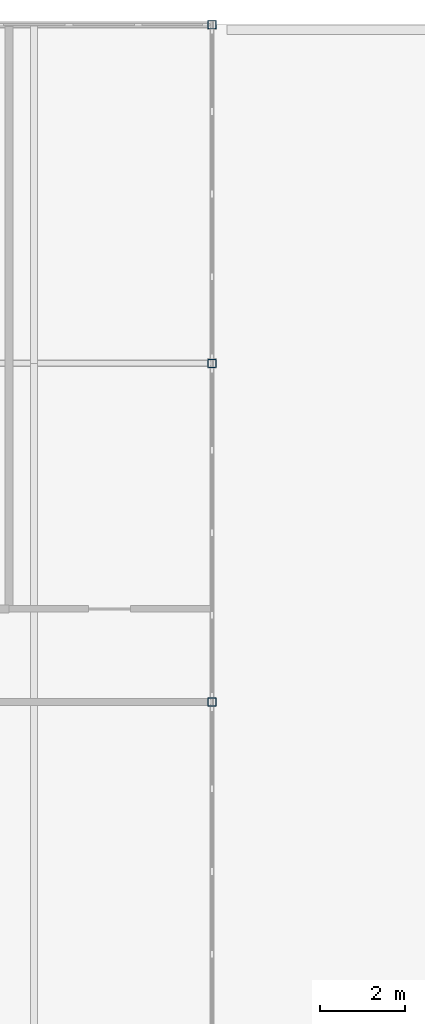
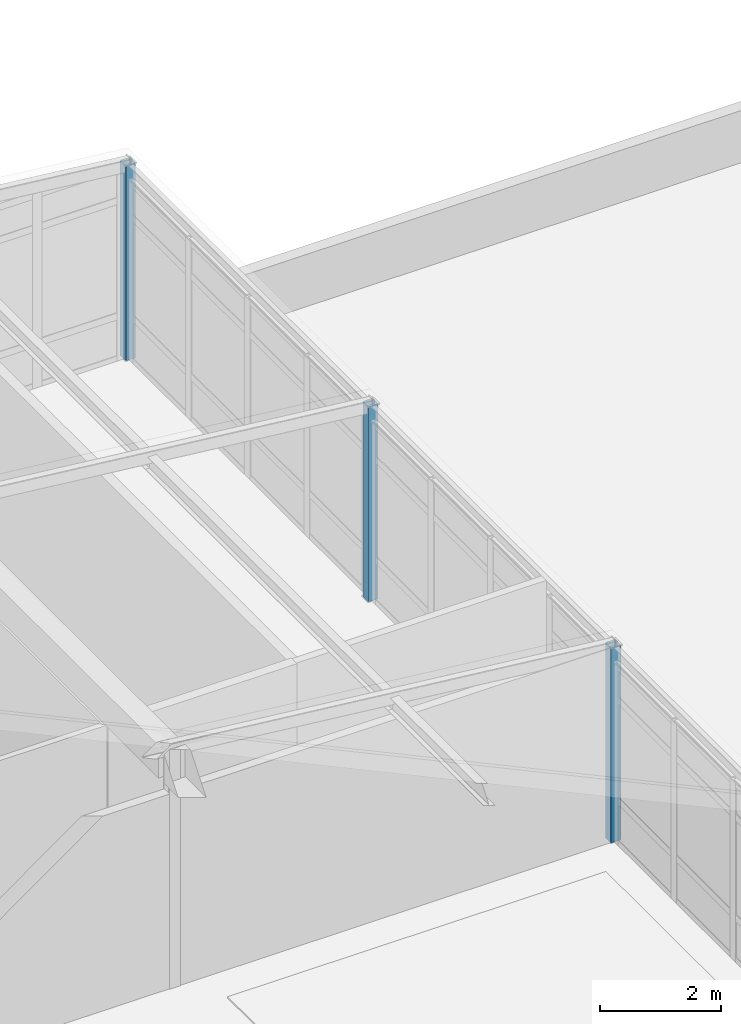
# One storey, part 8 of 25: 3 columns.
"""IFC4 building model written with IfcOpenShell, lengths in metres."""

from ifc_helpers import new_model, si_unit, direction, frame, origin, origin_2d, place, context, subcontext, project, spatial, hollow_rectangle, extrude, material, material_profile, profile_set, type_object, element, save


model = new_model("IFC4")

# Units and contexts
model_context = context("Model", 3, precision=1e-05, world=origin(), true_north=direction((0.0, 1.0)))
body_context = subcontext(model_context, "Body", "Model", "MODEL_VIEW")
ifc_project = project(units=[si_unit("LENGTHUNIT", "METRE"), si_unit("AREAUNIT", "SQUARE_METRE"), si_unit("VOLUMEUNIT", "CUBIC_METRE"), si_unit("PLANEANGLEUNIT", "RADIAN"), si_unit("MASSUNIT", "GRAM", prefix="KILO")], contexts=[model_context])

# Site, building, storey
site_placement = place(None, origin())
site = spatial("IfcSite", under=ifc_project, at=site_placement, CompositionType="ELEMENT")
building_placement = place(site_placement, origin())
building = spatial("IfcBuilding", under=site, at=building_placement, Name="Kranzveld Transit Interchange", CompositionType="ELEMENT")
storey_placement = place(building_placement, frame((0.0, 0.0, 21.0400390625)))
storey = spatial("IfcBuildingStorey", under=building, at=storey_placement, Name="L05", CompositionType="ELEMENT", Elevation=21.0400390625)

# Columns
ifc_material = material(Name="Steel S355JR", Category="steel")
ifc_material_profile = material_profile(ifc_material, hollow_rectangle(XDim=0.199951171875, YDim=0.199951171875, WallThickness=0.010009765625, InnerFilletRadius=0.014892578125, OuterFilletRadius=0.02490234375, at=origin_2d()), Name="SHS 200x200x10")
ifc_profile_set = profile_set([ifc_material_profile], Name="Steel S355JR")
column_type = type_object("IfcColumnType", Name="Pavilion Post SHS 200x200x10 S355JR", PredefinedType="COLUMN", material=ifc_profile_set)
for number, where, z_axis, x_axis, name in (
    (1, (33.60009765625, 96.0, 0.0), (0.0, 0.0, 1.0), (1.0, 0.0, 0.0), "L05 Column 05/N"),
    (2, (33.60009765625, 104.0, 0.0), (0.0, 0.0, 1.0), (1.0, 0.0, 0.0), "L05 Column 05/P"),
    (3, (33.60009765625, 112.0, 0.0), (0.0, 0.0, 1.0), (1.0, 0.0, 0.0), "L05 Column 05/Q"),
):
    element("IfcColumn", number, at=place(storey_placement, frame(where, z_axis=z_axis, x_axis=x_axis)), inside=storey, type_object=column_type, Name=name, PredefinedType="COLUMN", context=body_context, shape_type="SweptSolid", body=[
        extrude(hollow_rectangle(XDim=0.199951171875, YDim=0.199951171875, WallThickness=0.010009765625, InnerFilletRadius=0.014892578125, OuterFilletRadius=0.02490234375, at=origin_2d()), origin(), (0.0, 0.0, 1.0), 3.919921875),
    ])

save(model, "model.ifc")
